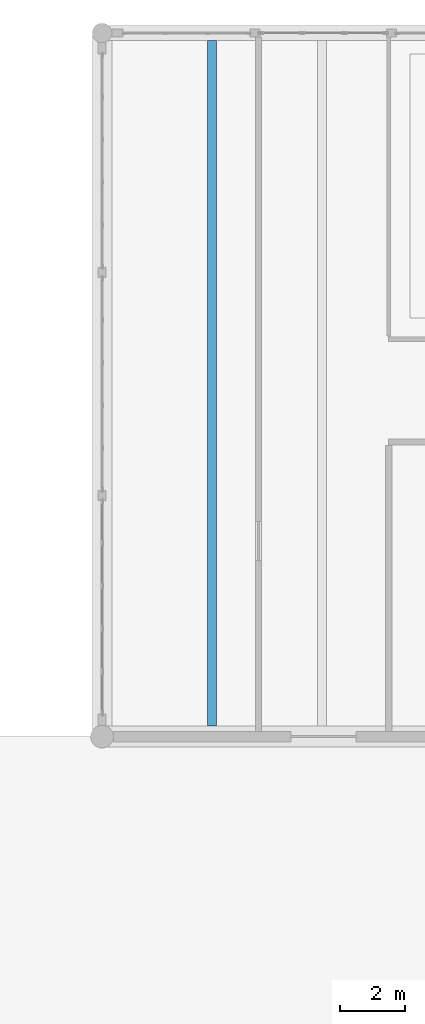
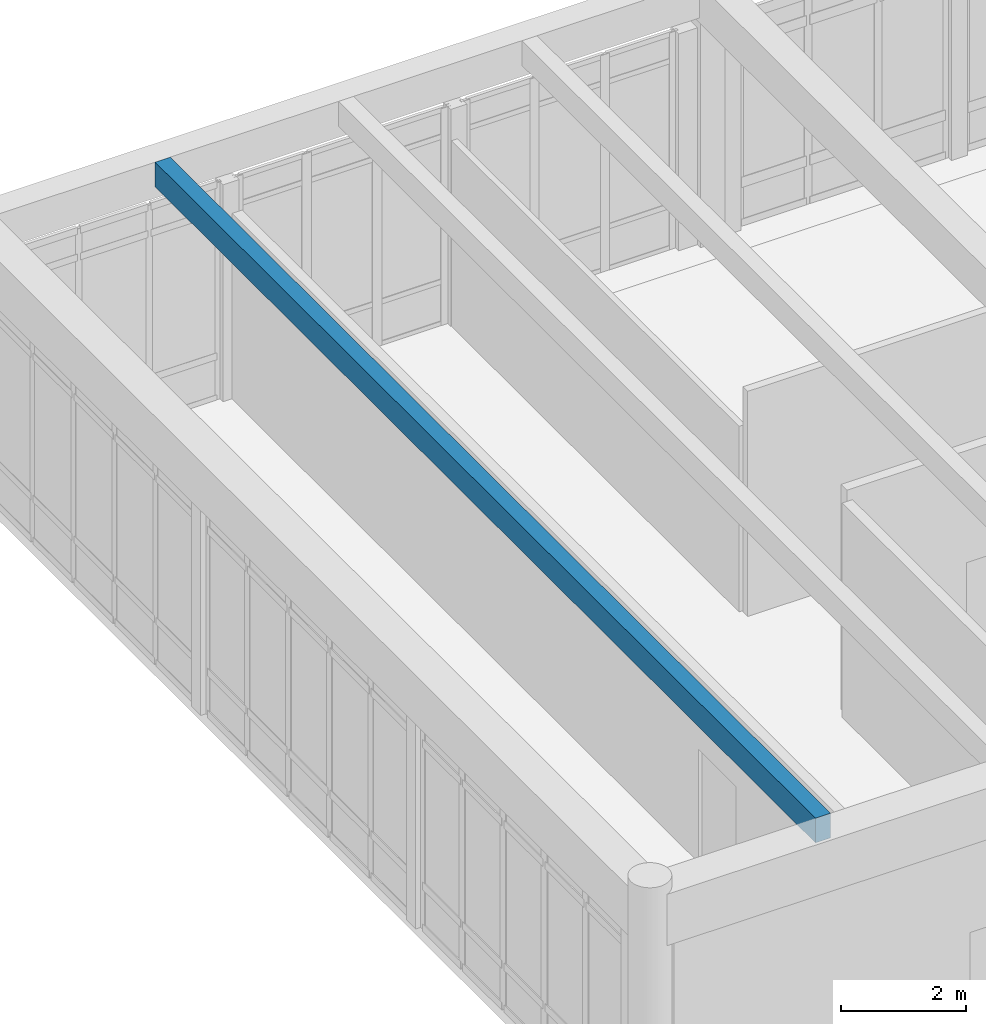
# One storey, part 34 of 138: 1 beam.
"""IFC4 building model written with IfcOpenShell, lengths in metres."""

from ifc_helpers import new_model, si_unit, direction, frame, origin, origin_2d, place, context, subcontext, project, spatial, rectangle, extrude, material, material_profile, profile_set, type_object, element, save


model = new_model("IFC4")

# Units and contexts
model_context = context("Model", 3, precision=1e-05, world=origin(), true_north=direction((0.0, 1.0)))
body_context = subcontext(model_context, "Body", "Model", "MODEL_VIEW")
ifc_project = project(units=[si_unit("LENGTHUNIT", "METRE"), si_unit("AREAUNIT", "SQUARE_METRE"), si_unit("VOLUMEUNIT", "CUBIC_METRE"), si_unit("PLANEANGLEUNIT", "RADIAN"), si_unit("MASSUNIT", "GRAM", prefix="KILO")], contexts=[model_context])

# Site, building, storey
site_placement = place(None, origin())
site = spatial("IfcSite", under=ifc_project, at=site_placement, CompositionType="ELEMENT")
building_placement = place(site_placement, origin())
building = spatial("IfcBuilding", under=site, at=building_placement, Name="Fikremerkos Civic Library", CompositionType="ELEMENT")
storey_placement = place(building_placement, origin())
storey = spatial("IfcBuildingStorey", under=building, at=storey_placement, Name="L00", CompositionType="ELEMENT", Elevation=0.0)

# Beam
ifc_material = material(Name="Concrete C40/50", Category="concrete")
ifc_material_profile = material_profile(ifc_material, rectangle(XDim=0.280029296875, YDim=0.47998046875, at=origin_2d()), Name="RC 280x480")
ifc_profile_set = profile_set([ifc_material_profile], Name="Concrete C40/50")
beam_type = type_object("IfcBeamType", Name="Floor joist JS-04 RC 280x480", PredefinedType="JOIST", material=ifc_profile_set)
beam_placement = place(storey_placement, frame((63.074951171875, 96.324951171875, 4.93994140625), z_axis=(0.0, 1.0, 0.0), x_axis=(-1.0, 0.0, 0.0)))
element("IfcBeam", 1, at=beam_placement, inside=storey, type_object=beam_type, Name="Floor joist JS-04 L00 #316", PredefinedType="JOIST", context=body_context, shape_type="SweptSolid", body=[
    extrude(rectangle(XDim=0.280029296875, YDim=0.47998046875, at=origin_2d()), origin(), (0.0, 0.0, 1.0), 21.050048828125),
])

save(model, "model.ifc")
